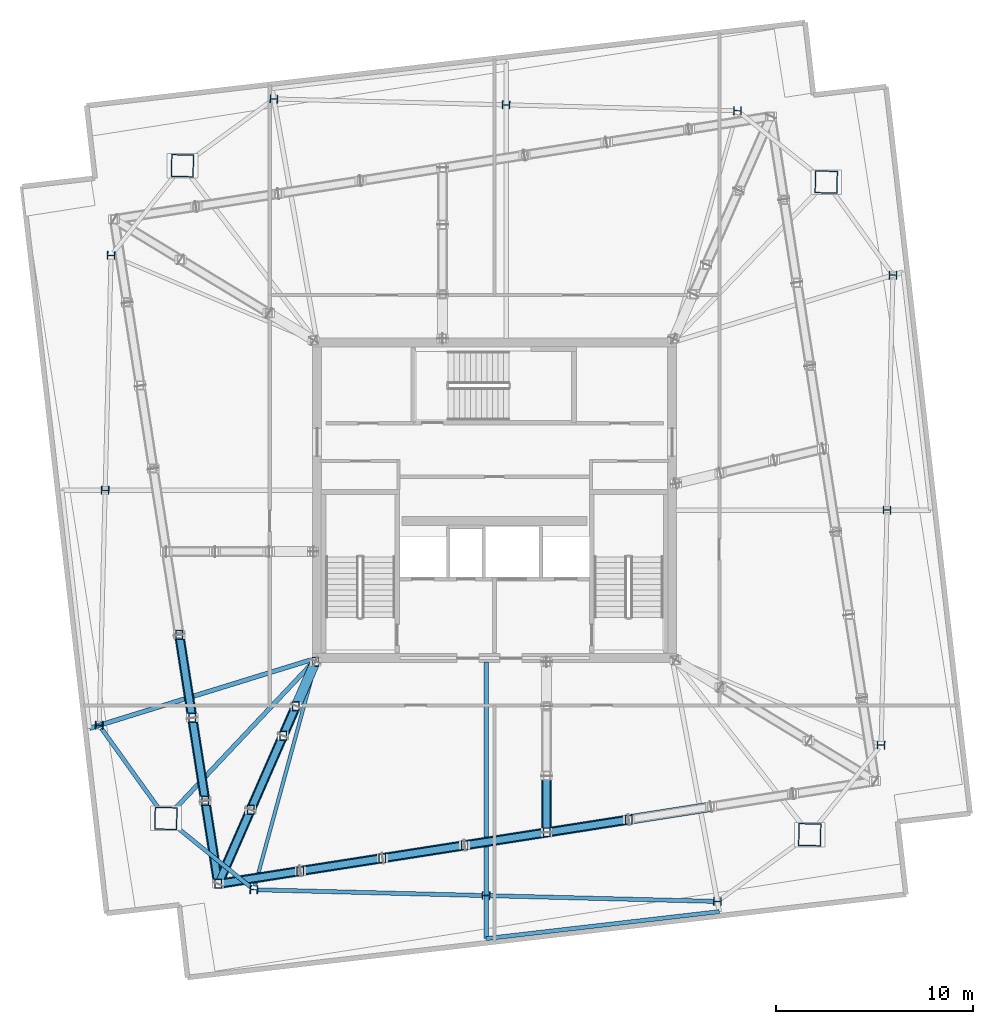
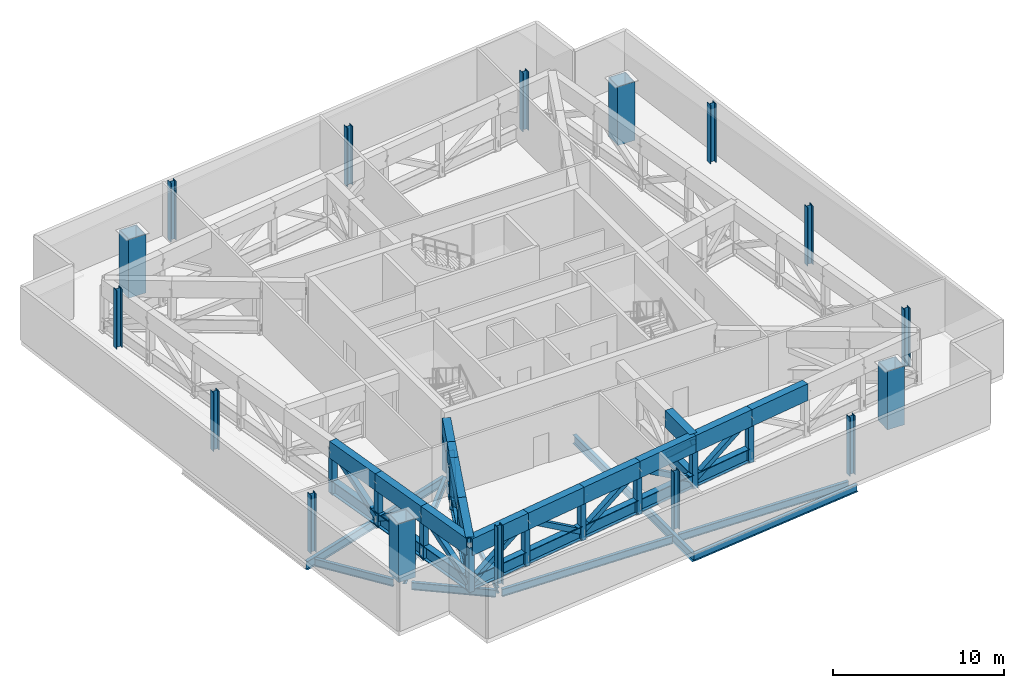
# One storey, part 1 of 13: 51 members, 16 columns, 9 beams.
"""IFC4 building model written with IfcOpenShell, lengths in metres."""

from ifc_helpers import new_model, si_unit, direction, frame, origin, origin_2d, place, context, subcontext, project, spatial, hollow_rectangle, i_section, extrude, material, material_profile, profile_set, type_object, element, save


model = new_model("IFC4")

# Units and contexts
model_context = context("Model", 3, precision=1e-05, world=origin(), true_north=direction((0.0, 1.0)))
body_context = subcontext(model_context, "Body", "Model", "MODEL_VIEW")
ifc_project = project(units=[si_unit("LENGTHUNIT", "METRE"), si_unit("AREAUNIT", "SQUARE_METRE"), si_unit("VOLUMEUNIT", "CUBIC_METRE"), si_unit("PLANEANGLEUNIT", "RADIAN"), si_unit("MASSUNIT", "GRAM", prefix="KILO")], contexts=[model_context])

# Site, building, storey
site_placement = place(None, origin())
site = spatial("IfcSite", under=ifc_project, at=site_placement, CompositionType="ELEMENT")
building_placement = place(site_placement, origin())
building = spatial("IfcBuilding", under=site, at=building_placement, Name="Haldenkirk Collegiate Tower", CompositionType="ELEMENT")
storey_placement = place(building_placement, frame((0.0, 0.0, 352.199951171875)))
storey = spatial("IfcBuildingStorey", under=building, at=storey_placement, Name="L89", CompositionType="ELEMENT", Elevation=352.199951171875)

# Columns
ifc_material_1 = material(Name="Steel ASTM A913 Grade 65", Category="steel")
ifc_material_profile_1 = material_profile(ifc_material_1, i_section(OverallWidth=0.39990234375, OverallDepth=0.39306640625, WebThickness=0.022705078125, FlangeThickness=0.03662109375, at=origin_2d()), Name="W14X193")
ifc_profile_set_1 = profile_set([ifc_material_profile_1], Name="Steel ASTM A913 Grade 65")
column_type_1 = type_object("IfcColumnType", Name="COL-INT-W14X193", PredefinedType="COLUMN", material=ifc_profile_set_1)
for number, where, z_axis, x_axis, name in (
    (1, (55.592041015625, 13.584228515625, 0.0), (0.0, 0.0, 1.0), (0.025304572866, 0.999679788028, 0.0), "L89 crown transfer column PC-S1"),
    (2, (55.8935546875, 25.496337890625, 0.0), (0.0, 0.0, 1.0), (0.025304572866, 0.999679788028, 0.0), "L89 crown transfer column PC-S2"),
    (3, (56.1953125, 37.40869140625, 0.0), (0.0, 0.0, 1.0), (0.025304572866, 0.999679788028, 0.0), "L89 crown transfer column PC-S3"),
    (4, (48.3115234375, 45.744873046875, 0.0), (0.0, 0.0, 1.0), (0.025304572866, 0.999679788028, 0.0), "L89 crown transfer column PC-E1"),
    (5, (36.582275390625, 46.041748046875, 0.0), (0.0, 0.0, 1.0), (0.025304572866, 0.999679788028, 0.0), "L89 crown transfer column PC-E2"),
    (6, (24.81103515625, 46.339599609375, 0.0), (0.0, 0.0, 1.0), (0.025304572866, 0.999679788028, 0.0), "L89 crown transfer column PC-E3"),
    (7, (16.557861328125, 38.411865234375, 0.0), (0.0, 0.0, 1.0), (0.025304572866, 0.999679788028, 0.0), "L89 crown transfer column PC-N1"),
    (8, (16.25634765625, 26.499755859375, 0.0), (0.0, 0.0, 1.0), (0.025304572866, 0.999679788028, 0.0), "L89 crown transfer column PC-N2"),
    (9, (15.954833984375, 14.587646484375, 0.0), (0.0, 0.0, 1.0), (0.025304572866, 0.999679788028, 0.0), "L89 crown transfer column PC-N3"),
    (10, (23.79638671875, 6.25244140625, 0.0), (0.0, 0.0, 1.0), (0.025304572866, 0.999679788028, 0.0), "L89 crown transfer column PC-W1"),
    (11, (35.567626953125, 5.95458984375, 0.0), (0.0, 0.0, 1.0), (0.025304572866, 0.999679788028, 0.0), "L89 crown transfer column PC-W2"),
    (12, (47.296875, 5.65771484375, 0.0), (0.0, 0.0, 1.0), (0.025304572866, 0.999679788028, 0.0), "L89 crown transfer column PC-W3"),
):
    element("IfcColumn", number, at=place(storey_placement, frame(where, z_axis=z_axis, x_axis=x_axis)), inside=storey, type_object=column_type_1, Name=name, PredefinedType="COLUMN", context=body_context, shape_type="SweptSolid", body=[
        extrude(i_section(OverallWidth=0.39990234375, OverallDepth=0.39306640625, WebThickness=0.022705078125, FlangeThickness=0.03662109375, at=origin_2d()), origin(), (0.0, 0.0, 1.0), 4.199951171875),
    ])
ifc_material_2 = material(Name="Steel ASTM A572 Grade 50", Category="steel")
ifc_material_profile_2 = material_profile(ifc_material_2, hollow_rectangle(XDim=1.14990234375, YDim=1.14990234375, WallThickness=0.050048828125, at=origin_2d()), Name="BOX1150X1150X50")
ifc_profile_set_2 = profile_set([ifc_material_profile_2], Name="Steel ASTM A572 Grade 50")
column_type_2 = type_object("IfcColumnType", Name="COL-MEGA-BOX1150X1150X50", PredefinedType="COLUMN", material=ifc_profile_set_2)
for number, where, z_axis, x_axis, name in (
    (13, (51.97607421875, 9.040283203125, 0.0), (0.0, 0.0, 1.0), (0.025304572866, 0.999679788028, 0.0), "L89 crown transfer mega-column MC1"),
    (14, (52.8134765625, 42.129638671875, 0.0), (0.0, 0.0, 1.0), (0.025304572866, 0.999679788028, 0.0), "L89 crown transfer mega-column MC2"),
    (15, (20.174072265625, 42.955810546875, 0.0), (0.0, 0.0, 1.0), (0.025304572866, 0.999679788028, 0.0), "L89 crown transfer mega-column MC3"),
    (16, (19.33642578125, 9.866455078125, 0.0), (0.0, 0.0, 1.0), (0.025304572866, 0.999679788028, 0.0), "L89 crown transfer mega-column MC4"),
):
    element("IfcColumn", number, at=place(storey_placement, frame(where, z_axis=z_axis, x_axis=x_axis)), inside=storey, type_object=column_type_2, Name=name, PredefinedType="COLUMN", context=body_context, shape_type="SweptSolid", body=[
        extrude(hollow_rectangle(XDim=1.14990234375, YDim=1.14990234375, WallThickness=0.050048828125, at=origin_2d()), origin(), (0.0, 0.0, 1.0), 4.199951171875),
    ])

# Beams
ifc_material_3 = material(Name="Steel ASTM A992 Grade 50", Category="steel")
ifc_material_profile_3 = material_profile(ifc_material_3, i_section(OverallWidth=0.22998046875, OverallDepth=0.616943359375, WebThickness=0.01318359375, FlangeThickness=0.022216796875, at=origin_2d()), Name="W24X94")
ifc_profile_set_3 = profile_set([ifc_material_profile_3], Name="Steel ASTM A992 Grade 50")
beam_type_1 = type_object("IfcBeamType", Name="BM-GIRDER-W24X94", PredefinedType="BEAM", material=ifc_profile_set_3)
beam_1_placement = place(storey_placement, frame((19.717041015625, 10.2705078125, -0.70849609375), z_axis=(0.685767478835, 0.72782069562, 0.0), x_axis=(-0.72782069562, 0.685767478835, 0.0)))
element("IfcBeam", 17, at=beam_1_placement, inside=storey, type_object=beam_type_1, Name="L89 primary floor girder 04", PredefinedType="BEAM", context=body_context, shape_type="SweptSolid", body=[
    extrude(i_section(OverallWidth=0.22998046875, OverallDepth=0.616943359375, WebThickness=0.01318359375, FlangeThickness=0.022216796875, at=origin_2d()), origin(), (0.0, 0.0, 1.0), 10.4150390625),
])
beam_2_placement = place(storey_placement, frame((15.463134765625, 14.435791015625, -0.70849609375), z_axis=(0.955444412847, 0.295171092691, 0.0), x_axis=(-0.295171092691, 0.955444412847, 0.0)))
element("IfcBeam", 18, at=beam_2_placement, inside=storey, type_object=beam_type_1, Name="L89 primary floor girder 13", PredefinedType="BEAM", context=body_context, shape_type="SweptSolid", body=[
    extrude(i_section(OverallWidth=0.22998046875, OverallDepth=0.616943359375, WebThickness=0.01318359375, FlangeThickness=0.022216796875, at=origin_2d()), origin(), (0.0, 0.0, 1.0), 11.869873046875),
])
beam_3_placement = place(storey_placement, frame((35.567626953125, 3.77294921875, -0.70849609375), z_axis=(0.0, 1.0, 0.0), x_axis=(-1.0, 0.0, 0.0)))
element("IfcBeam", 19, at=beam_3_placement, inside=storey, type_object=beam_type_1, Name="L89 primary floor girder 15", PredefinedType="BEAM", context=body_context, shape_type="SweptSolid", body=[
    extrude(i_section(OverallWidth=0.22998046875, OverallDepth=0.616943359375, WebThickness=0.01318359375, FlangeThickness=0.022216796875, at=origin_2d()), origin(), (0.0, 0.0, 1.0), 14.02197265625),
])
ifc_material_profile_4 = material_profile(ifc_material_3, i_section(OverallWidth=0.177978515625, OverallDepth=0.406005859375, WebThickness=0.0078125, FlangeThickness=0.0126953125, at=origin_2d()), Name="W16X40")
ifc_profile_set_4 = profile_set([ifc_material_profile_4], Name="Steel ASTM A992 Grade 50")
beam_type_2 = type_object("IfcBeamType", Name="BM-JOIST-W16X40", PredefinedType="JOIST", material=ifc_profile_set_4)
beam_4_placement = place(storey_placement, frame((23.845947265625, 6.433837890625, -0.60302734375), z_axis=(0.263087602438, 0.964771948931, 0.0), x_axis=(-0.964771948931, 0.263087602438, 0.0)))
element("IfcBeam", 20, at=beam_4_placement, inside=storey, type_object=beam_type_2, Name="L89 composite floor joist 14", PredefinedType="JOIST", context=body_context, shape_type="SweptSolid", body=[
    extrude(i_section(OverallWidth=0.177978515625, OverallDepth=0.406005859375, WebThickness=0.0078125, FlangeThickness=0.0126953125, at=origin_2d()), origin(), (0.0, 0.0, 1.0), 11.783447265625),
])
ifc_material_profile_5 = material_profile(ifc_material_3, i_section(OverallWidth=0.2099609375, OverallDepth=0.537109375, WebThickness=0.010986328125, FlangeThickness=0.017333984375, at=origin_2d()), Name="W21X68")
ifc_profile_set_5 = profile_set([ifc_material_profile_5], Name="Steel ASTM A992 Grade 50")
beam_type_3 = type_object("IfcBeamType", Name="BM-SPANDREL-W21X68", PredefinedType="SPANDREL", material=ifc_profile_set_5)
beam_5_placement = place(storey_placement, frame((16.064208984375, 14.434814453125, -0.66845703125), z_axis=(0.582300220922, -0.812973832737, 0.0), x_axis=(0.812973832737, 0.582300220922, 0.0)))
element("IfcBeam", 21, at=beam_5_placement, inside=storey, type_object=beam_type_3, Name="L89 perimeter spandrel beam 12", PredefinedType="SPANDREL", context=body_context, shape_type="SweptSolid", body=[
    extrude(i_section(OverallWidth=0.2099609375, OverallDepth=0.537109375, WebThickness=0.010986328125, FlangeThickness=0.017333984375, at=origin_2d()), origin(), (0.0, 0.0, 1.0), 5.064453125),
])
beam_6_placement = place(storey_placement, frame((19.767578125, 9.51708984375, -0.66845703125), z_axis=(0.776950131303, -0.629562144247, 0.0), x_axis=(0.629562144247, 0.776950131303, 0.0)))
element("IfcBeam", 22, at=beam_6_placement, inside=storey, type_object=beam_type_3, Name="L89 perimeter spandrel beam 13", PredefinedType="SPANDREL", context=body_context, shape_type="SweptSolid", body=[
    extrude(i_section(OverallWidth=0.2099609375, OverallDepth=0.537109375, WebThickness=0.010986328125, FlangeThickness=0.017333984375, at=origin_2d()), origin(), (0.0, 0.0, 1.0), 4.99755859375),
])
beam_7_placement = place(storey_placement, frame((23.984375, 6.247802734375, -0.66845703125), z_axis=(0.99967950041, -0.02531593293, 0.0), x_axis=(0.02531593293, 0.99967950041, 0.0)))
element("IfcBeam", 23, at=beam_7_placement, inside=storey, type_object=beam_type_3, Name="L89 perimeter spandrel beam 14", PredefinedType="SPANDREL", context=body_context, shape_type="SweptSolid", body=[
    extrude(i_section(OverallWidth=0.2099609375, OverallDepth=0.537109375, WebThickness=0.010986328125, FlangeThickness=0.017333984375, at=origin_2d()), origin(), (0.0, 0.0, 1.0), 11.39892578125),
])
beam_8_placement = place(storey_placement, frame((35.755615234375, 5.94970703125, -0.66845703125), z_axis=(0.999679850822, -0.025302092003, 0.0), x_axis=(0.025302092003, 0.999679850822, 0.0)))
element("IfcBeam", 24, at=beam_8_placement, inside=storey, type_object=beam_type_3, Name="L89 perimeter spandrel beam 15", PredefinedType="SPANDREL", context=body_context, shape_type="SweptSolid", body=[
    extrude(i_section(OverallWidth=0.2099609375, OverallDepth=0.537109375, WebThickness=0.010986328125, FlangeThickness=0.017333984375, at=origin_2d()), origin(), (0.0, 0.0, 1.0), 11.35693359375),
])
beam_9_placement = place(storey_placement, frame((35.567626953125, 3.77294921875, -0.66845703125), z_axis=(0.993371248443, 0.114950262145, 0.0), x_axis=(-0.114950262145, 0.993371248443, 0.0)))
element("IfcBeam", 25, at=beam_9_placement, inside=storey, type_object=beam_type_3, Name="L89 outer facade edge beam 4", PredefinedType="SPANDREL", context=body_context, shape_type="SweptSolid", body=[
    extrude(i_section(OverallWidth=0.2099609375, OverallDepth=0.537109375, WebThickness=0.010986328125, FlangeThickness=0.017333984375, at=origin_2d()), origin(), (0.0, 0.0, 1.0), 11.904296875),
])

# Members
ifc_material_profile_6 = material_profile(ifc_material_2, hollow_rectangle(XDim=0.5, YDim=1.199951171875, WallThickness=0.050048828125, at=origin_2d()), Name="BOX1200X500X50")
ifc_profile_set_6 = profile_set([ifc_material_profile_6], Name="Steel ASTM A572 Grade 50")
member_type_1 = type_object("IfcMemberType", Name="MBR-CHORD-BOX1200", PredefinedType="CHORD", material=ifc_profile_set_6)
member_1_placement = place(storey_placement, frame((26.919921875, 17.81689453125, 3.199951171875), z_axis=(-0.400803305345, -0.91616412854, 0.0), x_axis=(0.91616412854, -0.400803305345, 0.0)))
element("IfcMember", 26, at=member_1_placement, inside=storey, type_object=member_type_1, Name="Outrigger Truss L89-7 top chord 1", PredefinedType="CHORD", context=body_context, shape_type="SweptSolid", body=[
    extrude(hollow_rectangle(XDim=0.5, YDim=1.199951171875, WallThickness=0.050048828125, at=origin_2d()), origin(), (0.0, 0.0, 1.0), 2.474365234375),
])
member_2_placement = place(storey_placement, frame((25.92822265625, 15.550048828125, 3.199951171875), z_axis=(-0.400724281953, -0.916198695619, 0.0), x_axis=(0.916198695619, -0.400724281953, 0.0)))
element("IfcMember", 27, at=member_2_placement, inside=storey, type_object=member_type_1, Name="Outrigger Truss L89-7 top chord 2", PredefinedType="CHORD", context=body_context, shape_type="SweptSolid", body=[
    extrude(hollow_rectangle(XDim=0.5, YDim=1.199951171875, WallThickness=0.050048828125, at=origin_2d()), origin(), (0.0, 0.0, 1.0), 1.62548828125),
])
member_3_placement = place(storey_placement, frame((25.27685546875, 14.060791015625, 3.199951171875), z_axis=(-0.400750110003, -0.916187398589, 0.0), x_axis=(0.916187398589, -0.400750110003, 0.0)))
element("IfcMember", 28, at=member_3_placement, inside=storey, type_object=member_type_1, Name="Outrigger Truss L89-7 top chord 3", PredefinedType="CHORD", context=body_context, shape_type="SweptSolid", body=[
    extrude(hollow_rectangle(XDim=0.5, YDim=1.199951171875, WallThickness=0.050048828125, at=origin_2d()), origin(), (0.0, 0.0, 1.0), 4.10009765625),
])
member_4_placement = place(storey_placement, frame((23.6337890625, 10.304443359375, 3.199951171875), z_axis=(-0.400771974424, -0.916177834548, 0.0), x_axis=(0.916177834548, -0.400771974424, 0.0)))
element("IfcMember", 29, at=member_4_placement, inside=storey, type_object=member_type_1, Name="Outrigger Truss L89-7 top chord 4", PredefinedType="CHORD", context=body_context, shape_type="SweptSolid", body=[
    extrude(hollow_rectangle(XDim=0.5, YDim=1.199951171875, WallThickness=0.050048828125, at=origin_2d()), origin(), (0.0, 0.0, 1.0), 4.099853515625),
])
member_5_placement = place(storey_placement, frame((38.6376953125, 12.036865234375, 3.199951171875), z_axis=(0.0, -1.0, 0.0), x_axis=(1.0, 0.0, 0.0)))
element("IfcMember", 30, at=member_5_placement, inside=storey, type_object=member_type_1, Name="Outrigger Truss L89-8 top chord 3", PredefinedType="CHORD", context=body_context, shape_type="SweptSolid", body=[
    extrude(hollow_rectangle(XDim=0.5, YDim=1.199951171875, WallThickness=0.050048828125, at=origin_2d()), origin(), (0.0, 0.0, 1.0), 2.881591796875),
])
for number, where, z_axis, x_axis, name in (
    (31, (20.012451171875, 19.181884765625, 3.199951171875), (0.154703604037, -0.987960927819, 0.0), (0.987960927819, 0.154703604037, 0.0), "Belt Truss L89-6 top chord 2"),
    (32, (20.671875, 14.970703125, 3.199951171875), (0.154703604037, -0.987960927819, 0.0), (0.987960927819, 0.154703604037, 0.0), "Belt Truss L89-6 top chord 3"),
    (33, (21.331298828125, 10.759521484375, 3.199951171875), (0.154703604037, -0.987960927819, 0.0), (0.987960927819, 0.154703604037, 0.0), "Belt Truss L89-6 top chord 4"),
):
    element("IfcMember", number, at=place(storey_placement, frame(where, z_axis=z_axis, x_axis=x_axis)), inside=storey, type_object=member_type_1, Name=name, PredefinedType="CHORD", context=body_context, shape_type="SweptSolid", body=[
        extrude(hollow_rectangle(XDim=0.5, YDim=1.199951171875, WallThickness=0.050048828125, at=origin_2d()), origin(), (0.0, 0.0, 1.0), 4.262451171875),
    ])
member_6_placement = place(storey_placement, frame((21.99072265625, 6.54833984375, 3.199951171875), z_axis=(0.98795533843, 0.154739294516, 0.0), x_axis=(-0.154739294516, 0.98795533843, 0.0)))
element("IfcMember", 34, at=member_6_placement, inside=storey, type_object=member_type_1, Name="Belt Truss L89-7 top chord 1", PredefinedType="CHORD", context=body_context, shape_type="SweptSolid", body=[
    extrude(hollow_rectangle(XDim=0.5, YDim=1.199951171875, WallThickness=0.050048828125, at=origin_2d()), origin(), (0.0, 0.0, 1.0), 4.212646484375),
])
member_7_placement = place(storey_placement, frame((26.152587890625, 7.2001953125, 3.199951171875), z_axis=(0.987962809958, 0.154691583936, 0.0), x_axis=(-0.154691583936, 0.987962809958, 0.0)))
element("IfcMember", 35, at=member_7_placement, inside=storey, type_object=member_type_1, Name="Belt Truss L89-7 top chord 2", PredefinedType="CHORD", context=body_context, shape_type="SweptSolid", body=[
    extrude(hollow_rectangle(XDim=0.5, YDim=1.199951171875, WallThickness=0.050048828125, at=origin_2d()), origin(), (0.0, 0.0, 1.0), 4.21240234375),
])
member_8_placement = place(storey_placement, frame((30.314208984375, 7.851806640625, 3.199951171875), z_axis=(0.98795533843, 0.154739294516, 0.0), x_axis=(-0.154739294516, 0.98795533843, 0.0)))
element("IfcMember", 36, at=member_8_placement, inside=storey, type_object=member_type_1, Name="Belt Truss L89-7 top chord 3", PredefinedType="CHORD", context=body_context, shape_type="SweptSolid", body=[
    extrude(hollow_rectangle(XDim=0.5, YDim=1.199951171875, WallThickness=0.050048828125, at=origin_2d()), origin(), (0.0, 0.0, 1.0), 4.212646484375),
])
member_9_placement = place(storey_placement, frame((34.47607421875, 8.503662109375, 3.199951171875), z_axis=(0.987962809958, 0.154691583936, 0.0), x_axis=(-0.154691583936, 0.987962809958, 0.0)))
element("IfcMember", 37, at=member_9_placement, inside=storey, type_object=member_type_1, Name="Belt Truss L89-7 top chord 4", PredefinedType="CHORD", context=body_context, shape_type="SweptSolid", body=[
    extrude(hollow_rectangle(XDim=0.5, YDim=1.199951171875, WallThickness=0.050048828125, at=origin_2d()), origin(), (0.0, 0.0, 1.0), 4.21240234375),
])
member_10_placement = place(storey_placement, frame((38.6376953125, 9.1552734375, 3.199951171875), z_axis=(0.987964196759, 0.154682726647, 0.0), x_axis=(-0.154682726647, 0.987964196759, 0.0)))
element("IfcMember", 38, at=member_10_placement, inside=storey, type_object=member_type_1, Name="Belt Truss L89-8 top chord 1", PredefinedType="CHORD", context=body_context, shape_type="SweptSolid", body=[
    extrude(hollow_rectangle(XDim=0.5, YDim=1.199951171875, WallThickness=0.050048828125, at=origin_2d()), origin(), (0.0, 0.0, 1.0), 4.212646484375),
])
member_11_placement = place(storey_placement, frame((42.799560546875, 9.806884765625, 3.199951171875), z_axis=(0.987953950627, 0.154748154885, 0.0), x_axis=(-0.154748154885, 0.987953950627, 0.0)))
element("IfcMember", 39, at=member_11_placement, inside=storey, type_object=member_type_1, Name="Belt Truss L89-8 top chord 2", PredefinedType="CHORD", context=body_context, shape_type="SweptSolid", body=[
    extrude(hollow_rectangle(XDim=0.5, YDim=1.199951171875, WallThickness=0.050048828125, at=origin_2d()), origin(), (0.0, 0.0, 1.0), 4.21240234375),
])
ifc_material_profile_7 = material_profile(ifc_material_1, i_section(OverallWidth=0.423095703125, OverallDepth=0.947998046875, WebThickness=0.02392578125, FlangeThickness=0.042724609375, at=origin_2d()), Name="W36X302")
ifc_profile_set_7 = profile_set([ifc_material_profile_7], Name="Steel ASTM A913 Grade 65")
member_type_2 = type_object("IfcMemberType", Name="MBR-CHORD-W36X302", PredefinedType="CHORD", material=ifc_profile_set_7)
member_12_placement = place(storey_placement, frame((25.92822265625, 15.550048828125, 0.550048828125), z_axis=(-0.400724281953, -0.916198695619, 0.0), x_axis=(0.916198695619, -0.400724281953, 0.0)))
element("IfcMember", 40, at=member_12_placement, inside=storey, type_object=member_type_2, Name="Outrigger Truss L89-7 bottom chord 2", PredefinedType="CHORD", context=body_context, shape_type="SweptSolid", body=[
    extrude(i_section(OverallWidth=0.423095703125, OverallDepth=0.947998046875, WebThickness=0.02392578125, FlangeThickness=0.042724609375, at=origin_2d()), origin(), (0.0, 0.0, 1.0), 1.62548828125),
])
member_13_placement = place(storey_placement, frame((25.27685546875, 14.060791015625, 0.550048828125), z_axis=(-0.400750110003, -0.916187398589, 0.0), x_axis=(0.916187398589, -0.400750110003, 0.0)))
element("IfcMember", 41, at=member_13_placement, inside=storey, type_object=member_type_2, Name="Outrigger Truss L89-7 bottom chord 3", PredefinedType="CHORD", context=body_context, shape_type="SweptSolid", body=[
    extrude(i_section(OverallWidth=0.423095703125, OverallDepth=0.947998046875, WebThickness=0.02392578125, FlangeThickness=0.042724609375, at=origin_2d()), origin(), (0.0, 0.0, 1.0), 4.10009765625),
])
member_14_placement = place(storey_placement, frame((23.6337890625, 10.304443359375, 0.550048828125), z_axis=(-0.400771974424, -0.916177834548, 0.0), x_axis=(0.916177834548, -0.400771974424, 0.0)))
element("IfcMember", 42, at=member_14_placement, inside=storey, type_object=member_type_2, Name="Outrigger Truss L89-7 bottom chord 4", PredefinedType="CHORD", context=body_context, shape_type="SweptSolid", body=[
    extrude(i_section(OverallWidth=0.423095703125, OverallDepth=0.947998046875, WebThickness=0.02392578125, FlangeThickness=0.042724609375, at=origin_2d()), origin(), (0.0, 0.0, 1.0), 4.099853515625),
])
member_15_placement = place(storey_placement, frame((38.6376953125, 12.036865234375, 0.550048828125), z_axis=(0.0, -1.0, 0.0), x_axis=(1.0, 0.0, 0.0)))
element("IfcMember", 43, at=member_15_placement, inside=storey, type_object=member_type_2, Name="Outrigger Truss L89-8 bottom chord 3", PredefinedType="CHORD", context=body_context, shape_type="SweptSolid", body=[
    extrude(i_section(OverallWidth=0.423095703125, OverallDepth=0.947998046875, WebThickness=0.02392578125, FlangeThickness=0.042724609375, at=origin_2d()), origin(), (0.0, 0.0, 1.0), 2.881591796875),
])
for number, where, z_axis, x_axis, name in (
    (44, (20.012451171875, 19.181884765625, 0.550048828125), (0.154703604037, -0.987960927819, 0.0), (0.987960927819, 0.154703604037, 0.0), "Belt Truss L89-6 bottom chord 2"),
    (45, (20.671875, 14.970703125, 0.550048828125), (0.154703604037, -0.987960927819, 0.0), (0.987960927819, 0.154703604037, 0.0), "Belt Truss L89-6 bottom chord 3"),
    (46, (21.331298828125, 10.759521484375, 0.550048828125), (0.154703604037, -0.987960927819, 0.0), (0.987960927819, 0.154703604037, 0.0), "Belt Truss L89-6 bottom chord 4"),
):
    element("IfcMember", number, at=place(storey_placement, frame(where, z_axis=z_axis, x_axis=x_axis)), inside=storey, type_object=member_type_2, Name=name, PredefinedType="CHORD", context=body_context, shape_type="SweptSolid", body=[
        extrude(i_section(OverallWidth=0.423095703125, OverallDepth=0.947998046875, WebThickness=0.02392578125, FlangeThickness=0.042724609375, at=origin_2d()), origin(), (0.0, 0.0, 1.0), 4.262451171875),
    ])
member_16_placement = place(storey_placement, frame((21.99072265625, 6.54833984375, 0.550048828125), z_axis=(0.98795533843, 0.154739294516, 0.0), x_axis=(-0.154739294516, 0.98795533843, 0.0)))
element("IfcMember", 47, at=member_16_placement, inside=storey, type_object=member_type_2, Name="Belt Truss L89-7 bottom chord 1", PredefinedType="CHORD", context=body_context, shape_type="SweptSolid", body=[
    extrude(i_section(OverallWidth=0.423095703125, OverallDepth=0.947998046875, WebThickness=0.02392578125, FlangeThickness=0.042724609375, at=origin_2d()), origin(), (0.0, 0.0, 1.0), 4.212646484375),
])
member_17_placement = place(storey_placement, frame((26.152587890625, 7.2001953125, 0.550048828125), z_axis=(0.987962809958, 0.154691583936, 0.0), x_axis=(-0.154691583936, 0.987962809958, 0.0)))
element("IfcMember", 48, at=member_17_placement, inside=storey, type_object=member_type_2, Name="Belt Truss L89-7 bottom chord 2", PredefinedType="CHORD", context=body_context, shape_type="SweptSolid", body=[
    extrude(i_section(OverallWidth=0.423095703125, OverallDepth=0.947998046875, WebThickness=0.02392578125, FlangeThickness=0.042724609375, at=origin_2d()), origin(), (0.0, 0.0, 1.0), 4.21240234375),
])
member_18_placement = place(storey_placement, frame((30.314208984375, 7.851806640625, 0.550048828125), z_axis=(0.98795533843, 0.154739294516, 0.0), x_axis=(-0.154739294516, 0.98795533843, 0.0)))
element("IfcMember", 49, at=member_18_placement, inside=storey, type_object=member_type_2, Name="Belt Truss L89-7 bottom chord 3", PredefinedType="CHORD", context=body_context, shape_type="SweptSolid", body=[
    extrude(i_section(OverallWidth=0.423095703125, OverallDepth=0.947998046875, WebThickness=0.02392578125, FlangeThickness=0.042724609375, at=origin_2d()), origin(), (0.0, 0.0, 1.0), 4.212646484375),
])
member_19_placement = place(storey_placement, frame((34.47607421875, 8.503662109375, 0.550048828125), z_axis=(0.987962809958, 0.154691583936, 0.0), x_axis=(-0.154691583936, 0.987962809958, 0.0)))
element("IfcMember", 50, at=member_19_placement, inside=storey, type_object=member_type_2, Name="Belt Truss L89-7 bottom chord 4", PredefinedType="CHORD", context=body_context, shape_type="SweptSolid", body=[
    extrude(i_section(OverallWidth=0.423095703125, OverallDepth=0.947998046875, WebThickness=0.02392578125, FlangeThickness=0.042724609375, at=origin_2d()), origin(), (0.0, 0.0, 1.0), 4.21240234375),
])
member_20_placement = place(storey_placement, frame((38.6376953125, 9.1552734375, 0.550048828125), z_axis=(0.987964196759, 0.154682726647, 0.0), x_axis=(-0.154682726647, 0.987964196759, 0.0)))
element("IfcMember", 51, at=member_20_placement, inside=storey, type_object=member_type_2, Name="Belt Truss L89-8 bottom chord 1", PredefinedType="CHORD", context=body_context, shape_type="SweptSolid", body=[
    extrude(i_section(OverallWidth=0.423095703125, OverallDepth=0.947998046875, WebThickness=0.02392578125, FlangeThickness=0.042724609375, at=origin_2d()), origin(), (0.0, 0.0, 1.0), 4.212646484375),
])
ifc_material_profile_8 = material_profile(ifc_material_2, hollow_rectangle(XDim=0.35009765625, YDim=0.35009765625, WallThickness=0.01611328125, at=origin_2d()), Name="HSS350X350X16")
ifc_profile_set_8 = profile_set([ifc_material_profile_8], Name="Steel ASTM A572 Grade 50")
member_type_3 = type_object("IfcMemberType", Name="MBR-TRUSSDIAG-HSS350X350X16", PredefinedType="BRACE", material=ifc_profile_set_8)
member_21_placement = place(storey_placement, frame((25.92822265625, 15.550048828125, 3.199951171875), z_axis=(-0.20952894945, -0.479057942896, -0.852409002), x_axis=(0.916198695619, -0.400724281953, 0.0)))
element("IfcMember", 52, at=member_21_placement, inside=storey, type_object=member_type_3, Name="Outrigger Truss L89-7 web diagonal 2", PredefinedType="BRACE", context=body_context, shape_type="SweptSolid", body=[
    extrude(hollow_rectangle(XDim=0.35009765625, YDim=0.35009765625, WallThickness=0.01611328125, at=origin_2d()), origin(), (0.0, 0.0, 1.0), 3.108642578125),
])
member_22_placement = place(storey_placement, frame((25.27685546875, 14.060791015625, 0.550048828125), z_axis=(-0.336571018929, -0.769462362146, 0.542814537809), x_axis=(0.916187398589, -0.400750110003, 0.0)))
element("IfcMember", 53, at=member_22_placement, inside=storey, type_object=member_type_3, Name="Outrigger Truss L89-7 web diagonal 3", PredefinedType="BRACE", context=body_context, shape_type="SweptSolid", body=[
    extrude(hollow_rectangle(XDim=0.35009765625, YDim=0.35009765625, WallThickness=0.01611328125, at=origin_2d()), origin(), (0.0, 0.0, 1.0), 4.8818359375),
])
member_23_placement = place(storey_placement, frame((23.6337890625, 10.304443359375, 3.199951171875), z_axis=(-0.336583970925, -0.76944196028, -0.542835426512), x_axis=(0.916177834548, -0.400771974424, 0.0)))
element("IfcMember", 54, at=member_23_placement, inside=storey, type_object=member_type_3, Name="Outrigger Truss L89-7 web diagonal 4", PredefinedType="BRACE", context=body_context, shape_type="SweptSolid", body=[
    extrude(hollow_rectangle(XDim=0.35009765625, YDim=0.35009765625, WallThickness=0.01611328125, at=origin_2d()), origin(), (0.0, 0.0, 1.0), 4.881591796875),
])
member_24_placement = place(storey_placement, frame((38.6376953125, 12.036865234375, 0.550048828125), z_axis=(0.0, -0.736078905364, 0.676895741661), x_axis=(1.0, 0.0, 0.0)))
element("IfcMember", 55, at=member_24_placement, inside=storey, type_object=member_type_3, Name="Outrigger Truss L89-8 web diagonal 3", PredefinedType="BRACE", context=body_context, shape_type="SweptSolid", body=[
    extrude(hollow_rectangle(XDim=0.35009765625, YDim=0.35009765625, WallThickness=0.01611328125, at=origin_2d()), origin(), (0.0, 0.0, 1.0), 3.914794921875),
])
for number, where, z_axis, x_axis, name in (
    (56, (20.012451171875, 19.181884765625, 3.199951171875), (0.131384165452, -0.83903941869, -0.527968801117), (0.987960927819, 0.154703604037, 0.0), "Belt Truss L89-6 web diagonal 2"),
    (57, (20.671875, 14.970703125, 0.550048828125), (0.131384165452, -0.83903941869, 0.527968801117), (0.987960927819, 0.154703604037, 0.0), "Belt Truss L89-6 web diagonal 3"),
    (58, (21.331298828125, 10.759521484375, 3.199951171875), (0.131384165452, -0.83903941869, -0.527968801117), (0.987960927819, 0.154703604037, 0.0), "Belt Truss L89-6 web diagonal 4"),
):
    element("IfcMember", number, at=place(storey_placement, frame(where, z_axis=z_axis, x_axis=x_axis)), inside=storey, type_object=member_type_3, Name=name, PredefinedType="BRACE", context=body_context, shape_type="SweptSolid", body=[
        extrude(hollow_rectangle(XDim=0.35009765625, YDim=0.35009765625, WallThickness=0.01611328125, at=origin_2d()), origin(), (0.0, 0.0, 1.0), 5.01904296875),
    ])
member_25_placement = place(storey_placement, frame((21.99072265625, 6.54833984375, 0.550048828125), z_axis=(0.836262007155, 0.130980205262, 0.532456609706), x_axis=(-0.154739294516, 0.98795533843, 0.0)))
element("IfcMember", 59, at=member_25_placement, inside=storey, type_object=member_type_3, Name="Belt Truss L89-7 web diagonal 1", PredefinedType="BRACE", context=body_context, shape_type="SweptSolid", body=[
    extrude(hollow_rectangle(XDim=0.35009765625, YDim=0.35009765625, WallThickness=0.01611328125, at=origin_2d()), origin(), (0.0, 0.0, 1.0), 4.976806640625),
])
member_26_placement = place(storey_placement, frame((26.152587890625, 7.2001953125, 3.199951171875), z_axis=(0.836252629414, 0.130937361722, -0.532481874907), x_axis=(-0.154691583936, 0.987962809958, 0.0)))
element("IfcMember", 60, at=member_26_placement, inside=storey, type_object=member_type_3, Name="Belt Truss L89-7 web diagonal 2", PredefinedType="BRACE", context=body_context, shape_type="SweptSolid", body=[
    extrude(hollow_rectangle(XDim=0.35009765625, YDim=0.35009765625, WallThickness=0.01611328125, at=origin_2d()), origin(), (0.0, 0.0, 1.0), 4.9765625),
])
member_27_placement = place(storey_placement, frame((30.314208984375, 7.851806640625, 0.550048828125), z_axis=(0.836262007155, 0.130980205262, 0.532456609706), x_axis=(-0.154739294516, 0.98795533843, 0.0)))
element("IfcMember", 61, at=member_27_placement, inside=storey, type_object=member_type_3, Name="Belt Truss L89-7 web diagonal 3", PredefinedType="BRACE", context=body_context, shape_type="SweptSolid", body=[
    extrude(hollow_rectangle(XDim=0.35009765625, YDim=0.35009765625, WallThickness=0.01611328125, at=origin_2d()), origin(), (0.0, 0.0, 1.0), 4.976806640625),
])
member_28_placement = place(storey_placement, frame((34.47607421875, 8.503662109375, 3.199951171875), z_axis=(0.836252629414, 0.130937361722, -0.532481874907), x_axis=(-0.154691583936, 0.987962809958, 0.0)))
element("IfcMember", 62, at=member_28_placement, inside=storey, type_object=member_type_3, Name="Belt Truss L89-7 web diagonal 4", PredefinedType="BRACE", context=body_context, shape_type="SweptSolid", body=[
    extrude(hollow_rectangle(XDim=0.35009765625, YDim=0.35009765625, WallThickness=0.01611328125, at=origin_2d()), origin(), (0.0, 0.0, 1.0), 4.9765625),
])
member_29_placement = place(storey_placement, frame((38.6376953125, 9.1552734375, 0.550048828125), z_axis=(0.836267379517, 0.130931990141, 0.532460030344), x_axis=(-0.154682726647, 0.987964196759, 0.0)))
element("IfcMember", 63, at=member_29_placement, inside=storey, type_object=member_type_3, Name="Belt Truss L89-8 web diagonal 1", PredefinedType="BRACE", context=body_context, shape_type="SweptSolid", body=[
    extrude(hollow_rectangle(XDim=0.35009765625, YDim=0.35009765625, WallThickness=0.01611328125, at=origin_2d()), origin(), (0.0, 0.0, 1.0), 4.976806640625),
])
ifc_material_profile_9 = material_profile(ifc_material_2, hollow_rectangle(XDim=0.35009765625, YDim=0.449951171875, WallThickness=0.02197265625, at=origin_2d()), Name="HSS450X350X22")
ifc_profile_set_9 = profile_set([ifc_material_profile_9], Name="Steel ASTM A572 Grade 50")
member_type_4 = type_object("IfcMemberType", Name="MBR-TRUSSPOST-HSS450X350X22", PredefinedType="POST", material=ifc_profile_set_9)
for number, where, z_axis, x_axis, name in (
    (64, (26.919921875, 17.81689453125, 0.0), (0.0, 0.0, 1.0), (1.0, 0.0, 0.0), "Outrigger Truss L89-7 vertical post 1"),
    (65, (25.92822265625, 15.550048828125, 0.0), (0.0, 0.0, 1.0), (1.0, 0.0, 0.0), "Outrigger Truss L89-7 vertical post 2"),
    (66, (25.27685546875, 14.060791015625, 0.0), (0.0, 0.0, 1.0), (1.0, 0.0, 0.0), "Outrigger Truss L89-7 vertical post 3"),
    (67, (23.6337890625, 10.304443359375, 0.0), (0.0, 0.0, 1.0), (1.0, 0.0, 0.0), "Outrigger Truss L89-7 vertical post 4"),
    (68, (21.99072265625, 6.54833984375, 0.0), (0.0, 0.0, 1.0), (1.0, 0.0, 0.0), "Outrigger Truss L89-7 vertical post 5"),
    (69, (38.6376953125, 9.1552734375, 0.0), (0.0, 0.0, 1.0), (1.0, 0.0, 0.0), "Outrigger Truss L89-8 vertical post 4"),
    (70, (20.012451171875, 19.181884765625, 0.0), (0.0, 0.0, 1.0), (1.0, 0.0, 0.0), "Belt Truss L89-6 vertical post 2"),
    (71, (20.671875, 14.970703125, 0.0), (0.0, 0.0, 1.0), (1.0, 0.0, 0.0), "Belt Truss L89-6 vertical post 3"),
    (72, (21.331298828125, 10.759521484375, 0.0), (0.0, 0.0, 1.0), (1.0, 0.0, 0.0), "Belt Truss L89-6 vertical post 4"),
    (73, (26.152587890625, 7.2001953125, 0.0), (0.0, 0.0, 1.0), (1.0, 0.0, 0.0), "Belt Truss L89-7 vertical post 2"),
    (74, (30.314208984375, 7.851806640625, 0.0), (0.0, 0.0, 1.0), (1.0, 0.0, 0.0), "Belt Truss L89-7 vertical post 3"),
    (75, (34.47607421875, 8.503662109375, 0.0), (0.0, 0.0, 1.0), (1.0, 0.0, 0.0), "Belt Truss L89-7 vertical post 4"),
    (76, (42.799560546875, 9.806884765625, 0.0), (0.0, 0.0, 1.0), (1.0, 0.0, 0.0), "Belt Truss L89-8 vertical post 2"),
):
    element("IfcMember", number, at=place(storey_placement, frame(where, z_axis=z_axis, x_axis=x_axis)), inside=storey, type_object=member_type_4, Name=name, PredefinedType="POST", context=body_context, shape_type="SweptSolid", body=[
        extrude(hollow_rectangle(XDim=0.35009765625, YDim=0.449951171875, WallThickness=0.02197265625, at=origin_2d()), origin(), (0.0, 0.0, 1.0), 3.199951171875),
    ])

save(model, "model.ifc")
